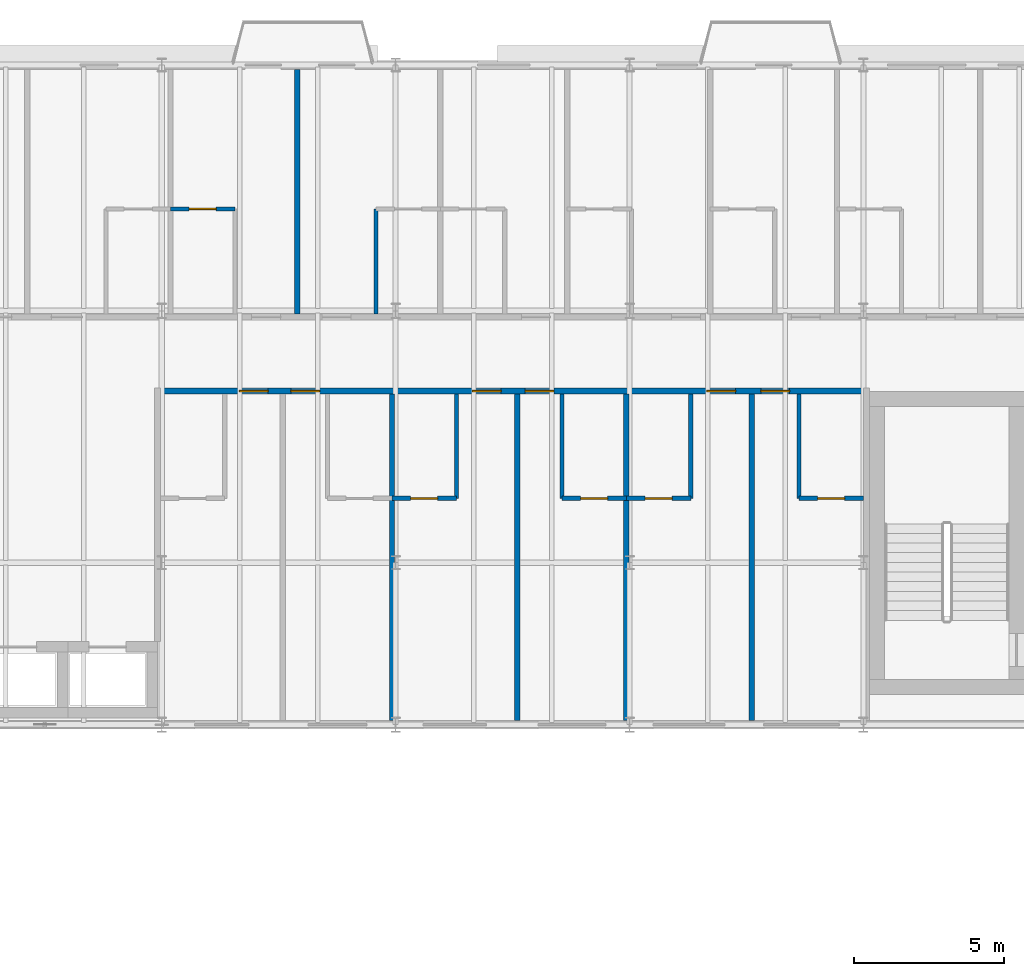
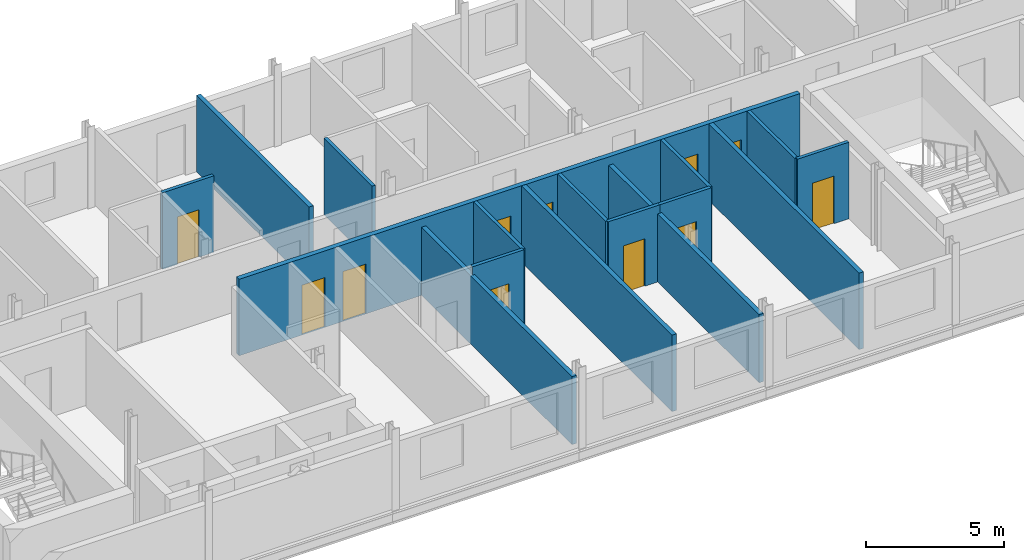
# One storey, part 21 of 30: 16 walls, 11 doors, 11 openings.
"""IFC4 building model written with IfcOpenShell, lengths in metres."""

from ifc_helpers import new_model, si_unit, direction, frame, frame_2d, origin, place, context, subcontext, project, spatial, rectangle, extrude, material, layer, layer_set, type_object, element, fill, save


model = new_model("IFC4")

# Units and contexts
model_context = context("Model", 3, precision=1e-05, world=origin(), true_north=direction((0.0, 1.0)))
body_context = subcontext(model_context, "Body", "Model", "MODEL_VIEW")
ifc_project = project(units=[si_unit("LENGTHUNIT", "METRE"), si_unit("AREAUNIT", "SQUARE_METRE"), si_unit("VOLUMEUNIT", "CUBIC_METRE"), si_unit("PLANEANGLEUNIT", "RADIAN"), si_unit("MASSUNIT", "GRAM", prefix="KILO")], contexts=[model_context])

# Site, building, storey
site_placement = place(None, origin())
site = spatial("IfcSite", under=ifc_project, at=site_placement, CompositionType="ELEMENT")
building_placement = place(site_placement, origin())
building = spatial("IfcBuilding", under=site, at=building_placement, Name="Sefraquen Railside Congress Hotel", CompositionType="ELEMENT")
storey_placement = place(building_placement, frame((0.0, 0.0, 35.39990234375)))
storey = spatial("IfcBuildingStorey", under=building, at=storey_placement, Name="L08", CompositionType="ELEMENT", Elevation=35.39990234375)

# Wall, opening, door
ifc_material_1 = material(Name="Moisture-resistant gypsum board", Category="gypsum")
ifc_layer_1 = layer(ifc_material_1, 0.139892578125)
ifc_layer_set_1 = layer_set([ifc_layer_1], Name="Moisture-resistant gypsum board")
wall_type_1 = type_object("IfcWallType", Name="TW-PW-140", PredefinedType="PARTITIONING", material=ifc_layer_set_1)
wall_1_placement = place(storey_placement, frame((41.090087890625, 113.199951171875, 0.0), z_axis=(0.0, 0.0, 1.0), x_axis=(1.0, 0.0, 0.0)))
wall_1 = element("IfcWall", 1, at=wall_1_placement, inside=storey, type_object=wall_type_1, Name="En-suite bathroom north wall RM-005", PredefinedType="PARTITIONING", context=body_context, shape_type="SweptSolid", body=[
    extrude(rectangle(XDim=2.14990234375, YDim=0.139892578125, at=frame_2d((1.074951171875, 0.0))), origin(), (0.0, 0.0, 1.0), 3.380126953125),
])
opening_1_placement = place(wall_1_placement, frame((0.625, 0.0, 0.0)))
opening_1 = element("IfcOpeningElement", 2, at=opening_1_placement, cuts=wall_1, Name="Opening ID-02", PredefinedType="OPENING", context=body_context, shape_type="SweptSolid", body=[
    extrude(rectangle(XDim=0.89990234375, YDim=2.10009765625, at=frame_2d((0.449951171875, 1.050048828125))), frame((0.0, 0.079833984375, 0.0), z_axis=(0.0, -1.0, 0.0), x_axis=(1.0, 0.0, 0.0)), (0.0, 0.0, 1.0), 0.159912109375),
])
ifc_material_2 = material(Name="Lacquered cedar joinery", Category="wood")
door_type_1 = type_object("IfcDoorType", Name="TD-ID-02", OperationType="NOTDEFINED", PredefinedType="DOOR", material=ifc_material_2)
door_1_placement = place(opening_1_placement, origin())
door_1 = element("IfcDoor", 3, at=door_1_placement, inside=storey, type_object=door_type_1, Name="En-suite bathroom door RM-005", OperationType="SINGLE_SWING_LEFT", OverallHeight=2.10009765625, OverallWidth=0.89990234375, PredefinedType="DOOR", context=body_context, shape_type="SweptSolid", body=[
    extrude(rectangle(XDim=0.89990234375, YDim=2.10009765625, at=frame_2d((0.449951171875, 1.050048828125))), frame((0.0, 0.02490234375, 0.0), z_axis=(0.0, -1.0, 0.0), x_axis=(1.0, 0.0, 0.0)), (0.0, 0.0, 1.0), 0.050048828125),
])
fill(opening_1, door_1)

# Walls
wall_2_placement = place(storey_placement, frame((47.93994140625, 109.699951171875, 0.0), z_axis=(0.0, 0.0, 1.0), x_axis=(0.0, 1.0, 0.0)))
element("IfcWall", 4, at=wall_2_placement, inside=storey, type_object=wall_type_1, Name="En-suite bathroom west wall RM-006", PredefinedType="PARTITIONING", context=body_context, shape_type="SweptSolid", body=[
    extrude(rectangle(XDim=3.5, YDim=0.139892578125, at=frame_2d((1.75, 0.0))), origin(), (0.0, 0.0, 1.0), 3.380126953125),
])
wall_3_placement = place(storey_placement, frame((50.626953125, 103.550048828125, 0.0), z_axis=(0.0, 0.0, 1.0), x_axis=(0.0, 1.0, 0.0)))
element("IfcWall", 5, at=wall_3_placement, inside=storey, type_object=wall_type_1, Name="En-suite bathroom east wall RM-019", PredefinedType="PARTITIONING", context=body_context, shape_type="SweptSolid", body=[
    extrude(rectangle(XDim=3.469970703125, YDim=0.139892578125, at=frame_2d((1.73486328125, 0.0))), origin(), (0.0, 0.0, 1.0), 3.380126953125),
])

# Wall, opening, door
wall_4_placement = place(storey_placement, frame((48.47705078125, 103.550048828125, 0.0), z_axis=(0.0, 0.0, 1.0), x_axis=(1.0, 0.0, 0.0)))
wall_4 = element("IfcWall", 6, at=wall_4_placement, inside=storey, type_object=wall_type_1, Name="En-suite bathroom south wall RM-019", PredefinedType="PARTITIONING", context=body_context, shape_type="SweptSolid", body=[
    extrude(rectangle(XDim=2.14990234375, YDim=0.139892578125, at=frame_2d((1.074951171875, 0.0))), origin(), (0.0, 0.0, 1.0), 3.380126953125),
])
opening_2_placement = place(wall_4_placement, frame((0.625, 0.0, 0.0)))
opening_2 = element("IfcOpeningElement", 7, at=opening_2_placement, cuts=wall_4, Name="Opening ID-02", PredefinedType="OPENING", context=body_context, shape_type="SweptSolid", body=[
    extrude(rectangle(XDim=0.89990234375, YDim=2.10009765625, at=frame_2d((0.449951171875, 1.050048828125))), frame((0.0, 0.079833984375, 0.0), z_axis=(0.0, -1.0, 0.0), x_axis=(1.0, 0.0, 0.0)), (0.0, 0.0, 1.0), 0.159912109375),
])
door_2_placement = place(opening_2_placement, frame((0.89990234375, 0.0, 0.0), z_axis=(0.0, 0.0, 1.0), x_axis=(-1.0, 0.0, 0.0)))
door_2 = element("IfcDoor", 8, at=door_2_placement, inside=storey, type_object=door_type_1, Name="En-suite bathroom door RM-019", OperationType="SINGLE_SWING_LEFT", OverallHeight=2.10009765625, OverallWidth=0.89990234375, PredefinedType="DOOR", context=body_context, shape_type="SweptSolid", body=[
    extrude(rectangle(XDim=0.89990234375, YDim=2.10009765625, at=frame_2d((0.449951171875, 1.050048828125))), frame((0.0, 0.02490234375, 0.0), z_axis=(0.0, -1.0, 0.0), x_axis=(1.0, 0.0, 0.0)), (0.0, 0.0, 1.0), 0.050048828125),
])
fill(opening_2, door_2)

# Wall
wall_5_placement = place(storey_placement, frame((54.14306640625, 103.550048828125, 0.0), z_axis=(0.0, 0.0, 1.0), x_axis=(0.0, 1.0, 0.0)))
element("IfcWall", 9, at=wall_5_placement, inside=storey, type_object=wall_type_1, Name="En-suite bathroom west wall RM-020", PredefinedType="PARTITIONING", context=body_context, shape_type="SweptSolid", body=[
    extrude(rectangle(XDim=3.469970703125, YDim=0.139892578125, at=frame_2d((1.73486328125, 0.0))), origin(), (0.0, 0.0, 1.0), 3.380126953125),
])

# Wall, opening, door
wall_6_placement = place(storey_placement, frame((54.14306640625, 103.550048828125, 0.0), z_axis=(0.0, 0.0, 1.0), x_axis=(1.0, 0.0, 0.0)))
wall_6 = element("IfcWall", 10, at=wall_6_placement, inside=storey, type_object=wall_type_1, Name="En-suite bathroom south wall RM-020", PredefinedType="PARTITIONING", context=body_context, shape_type="SweptSolid", body=[
    extrude(rectangle(XDim=2.14990234375, YDim=0.139892578125, at=frame_2d((1.074951171875, 0.0))), origin(), (0.0, 0.0, 1.0), 3.380126953125),
])
opening_3_placement = place(wall_6_placement, frame((0.625, 0.0, 0.0)))
opening_3 = element("IfcOpeningElement", 11, at=opening_3_placement, cuts=wall_6, Name="Opening ID-02", PredefinedType="OPENING", context=body_context, shape_type="SweptSolid", body=[
    extrude(rectangle(XDim=0.89990234375, YDim=2.10009765625, at=frame_2d((0.449951171875, 1.050048828125))), frame((0.0, 0.079833984375, 0.0), z_axis=(0.0, -1.0, 0.0), x_axis=(1.0, 0.0, 0.0)), (0.0, 0.0, 1.0), 0.159912109375),
])
door_3_placement = place(opening_3_placement, frame((0.89990234375, 0.0, 0.0), z_axis=(0.0, 0.0, 1.0), x_axis=(-1.0, 0.0, 0.0)))
door_3 = element("IfcDoor", 12, at=door_3_placement, inside=storey, type_object=door_type_1, Name="En-suite bathroom door RM-020", OperationType="SINGLE_SWING_LEFT", OverallHeight=2.10009765625, OverallWidth=0.89990234375, PredefinedType="DOOR", context=body_context, shape_type="SweptSolid", body=[
    extrude(rectangle(XDim=0.89990234375, YDim=2.10009765625, at=frame_2d((0.449951171875, 1.050048828125))), frame((0.0, 0.02490234375, 0.0), z_axis=(0.0, -1.0, 0.0), x_axis=(1.0, 0.0, 0.0)), (0.0, 0.0, 1.0), 0.050048828125),
])
fill(opening_3, door_3)

# Wall
wall_7_placement = place(storey_placement, frame((58.443115234375, 103.550048828125, 0.0), z_axis=(0.0, 0.0, 1.0), x_axis=(0.0, 1.0, 0.0)))
element("IfcWall", 13, at=wall_7_placement, inside=storey, type_object=wall_type_1, Name="En-suite bathroom east wall RM-021", PredefinedType="PARTITIONING", context=body_context, shape_type="SweptSolid", body=[
    extrude(rectangle(XDim=3.469970703125, YDim=0.139892578125, at=frame_2d((1.73486328125, 0.0))), origin(), (0.0, 0.0, 1.0), 3.380126953125),
])

# Wall, opening, door
wall_8_placement = place(storey_placement, frame((56.29296875, 103.550048828125, 0.0), z_axis=(0.0, 0.0, 1.0), x_axis=(1.0, 0.0, 0.0)))
wall_8 = element("IfcWall", 14, at=wall_8_placement, inside=storey, type_object=wall_type_1, Name="En-suite bathroom south wall RM-021", PredefinedType="PARTITIONING", context=body_context, shape_type="SweptSolid", body=[
    extrude(rectangle(XDim=2.150146484375, YDim=0.139892578125, at=frame_2d((1.0751953125, 0.0))), origin(), (0.0, 0.0, 1.0), 3.380126953125),
])
opening_4_placement = place(wall_8_placement, frame((0.625, 0.0, 0.0)))
opening_4 = element("IfcOpeningElement", 15, at=opening_4_placement, cuts=wall_8, Name="Opening ID-02", PredefinedType="OPENING", context=body_context, shape_type="SweptSolid", body=[
    extrude(rectangle(XDim=0.89990234375, YDim=2.10009765625, at=frame_2d((0.449951171875, 1.050048828125))), frame((0.0, 0.079833984375, 0.0), z_axis=(0.0, -1.0, 0.0), x_axis=(1.0, 0.0, 0.0)), (0.0, 0.0, 1.0), 0.159912109375),
])
door_4_placement = place(opening_4_placement, frame((0.89990234375, 0.0, 0.0), z_axis=(0.0, 0.0, 1.0), x_axis=(-1.0, 0.0, 0.0)))
door_4 = element("IfcDoor", 16, at=door_4_placement, inside=storey, type_object=door_type_1, Name="En-suite bathroom door RM-021", OperationType="SINGLE_SWING_LEFT", OverallHeight=2.10009765625, OverallWidth=0.89990234375, PredefinedType="DOOR", context=body_context, shape_type="SweptSolid", body=[
    extrude(rectangle(XDim=0.89990234375, YDim=2.10009765625, at=frame_2d((0.449951171875, 1.050048828125))), frame((0.0, 0.02490234375, 0.0), z_axis=(0.0, -1.0, 0.0), x_axis=(1.0, 0.0, 0.0)), (0.0, 0.0, 1.0), 0.050048828125),
])
fill(opening_4, door_4)

# Wall
wall_9_placement = place(storey_placement, frame((62.050048828125, 103.550048828125, 0.0), z_axis=(0.0, 0.0, 1.0), x_axis=(0.0, 1.0, 0.0)))
element("IfcWall", 17, at=wall_9_placement, inside=storey, type_object=wall_type_1, Name="En-suite bathroom west wall RM-022", PredefinedType="PARTITIONING", context=body_context, shape_type="SweptSolid", body=[
    extrude(rectangle(XDim=3.469970703125, YDim=0.139892578125, at=frame_2d((1.73486328125, 0.0))), origin(), (0.0, 0.0, 1.0), 3.380126953125),
])

# Wall, opening, door
wall_10_placement = place(storey_placement, frame((62.050048828125, 103.550048828125, 0.0), z_axis=(0.0, 0.0, 1.0), x_axis=(1.0, 0.0, 0.0)))
wall_10 = element("IfcWall", 18, at=wall_10_placement, inside=storey, type_object=wall_type_1, Name="En-suite bathroom south wall RM-022", PredefinedType="PARTITIONING", context=body_context, shape_type="SweptSolid", body=[
    extrude(rectangle(XDim=2.14990234375, YDim=0.139892578125, at=frame_2d((1.074951171875, 0.0))), origin(), (0.0, 0.0, 1.0), 3.380126953125),
])
opening_5_placement = place(wall_10_placement, frame((0.625, 0.0, 0.0)))
opening_5 = element("IfcOpeningElement", 19, at=opening_5_placement, cuts=wall_10, Name="Opening ID-02", PredefinedType="OPENING", context=body_context, shape_type="SweptSolid", body=[
    extrude(rectangle(XDim=0.89990234375, YDim=2.10009765625, at=frame_2d((0.449951171875, 1.050048828125))), frame((0.0, 0.079833984375, 0.0), z_axis=(0.0, -1.0, 0.0), x_axis=(1.0, 0.0, 0.0)), (0.0, 0.0, 1.0), 0.159912109375),
])
door_5_placement = place(opening_5_placement, frame((0.89990234375, 0.0, 0.0), z_axis=(0.0, 0.0, 1.0), x_axis=(-1.0, 0.0, 0.0)))
door_5 = element("IfcDoor", 20, at=door_5_placement, inside=storey, type_object=door_type_1, Name="En-suite bathroom door RM-022", OperationType="SINGLE_SWING_LEFT", OverallHeight=2.10009765625, OverallWidth=0.89990234375, PredefinedType="DOOR", context=body_context, shape_type="SweptSolid", body=[
    extrude(rectangle(XDim=0.89990234375, YDim=2.10009765625, at=frame_2d((0.449951171875, 1.050048828125))), frame((0.0, 0.02490234375, 0.0), z_axis=(0.0, -1.0, 0.0), x_axis=(1.0, 0.0, 0.0)), (0.0, 0.0, 1.0), 0.050048828125),
])
fill(opening_5, door_5)

# Walls
ifc_material_3 = material(Name="Acoustic gypsum board on metal stud", Category="gypsum")
ifc_layer_2 = layer(ifc_material_3, 0.179931640625)
ifc_layer_set_2 = layer_set([ifc_layer_2], Name="Acoustic gypsum board on metal stud")
wall_type_2 = type_object("IfcWallType", Name="TW-PW-180", PredefinedType="PARTITIONING", material=ifc_layer_set_2)
wall_11_placement = place(storey_placement, frame((45.320068359375, 109.699951171875, 0.0), z_axis=(0.0, 0.0, 1.0), x_axis=(0.0, 1.0, 0.0)))
element("IfcWall", 21, at=wall_11_placement, inside=storey, type_object=wall_type_2, Name="Guest room demising wall RM-005", PredefinedType="PARTITIONING", context=body_context, shape_type="SweptSolid", body=[
    extrude(rectangle(XDim=8.150146484375, YDim=0.179931640625, at=frame_2d((4.0751953125, 0.0))), origin(), (0.0, 0.0, 1.0), 3.380126953125),
])
wall_12_placement = place(storey_placement, frame((48.47705078125, 96.139892578125, 0.0), z_axis=(0.0, 0.0, 1.0), x_axis=(0.0, 1.0, 0.0)))
element("IfcWall", 22, at=wall_12_placement, inside=storey, type_object=wall_type_2, Name="South guest room demising wall RM-018", PredefinedType="PARTITIONING", context=body_context, shape_type="SweptSolid", body=[
    extrude(rectangle(XDim=10.880126953125, YDim=0.179931640625, at=frame_2d((5.43994140625, 0.0))), origin(), (0.0, 0.0, 1.0), 3.010009765625),
])
wall_13_placement = place(storey_placement, frame((52.655029296875, 96.139892578125, 0.0), z_axis=(0.0, 0.0, 1.0), x_axis=(0.0, 1.0, 0.0)))
element("IfcWall", 23, at=wall_13_placement, inside=storey, type_object=wall_type_2, Name="South guest room demising wall RM-019", PredefinedType="PARTITIONING", context=body_context, shape_type="SweptSolid", body=[
    extrude(rectangle(XDim=10.880126953125, YDim=0.179931640625, at=frame_2d((5.43994140625, 0.0))), origin(), (0.0, 0.0, 1.0), 3.380126953125),
])
wall_14_placement = place(storey_placement, frame((56.29296875, 96.139892578125, 0.0), z_axis=(0.0, 0.0, 1.0), x_axis=(0.0, 1.0, 0.0)))
element("IfcWall", 24, at=wall_14_placement, inside=storey, type_object=wall_type_2, Name="South guest room demising wall RM-020", PredefinedType="PARTITIONING", context=body_context, shape_type="SweptSolid", body=[
    extrude(rectangle(XDim=10.880126953125, YDim=0.179931640625, at=frame_2d((5.43994140625, 0.0))), origin(), (0.0, 0.0, 1.0), 3.010009765625),
])
wall_15_placement = place(storey_placement, frame((60.471923828125, 96.139892578125, 0.0), z_axis=(0.0, 0.0, 1.0), x_axis=(0.0, 1.0, 0.0)))
element("IfcWall", 25, at=wall_15_placement, inside=storey, type_object=wall_type_2, Name="South guest room demising wall RM-021", PredefinedType="PARTITIONING", context=body_context, shape_type="SweptSolid", body=[
    extrude(rectangle(XDim=10.880126953125, YDim=0.179931640625, at=frame_2d((5.43994140625, 0.0))), origin(), (0.0, 0.0, 1.0), 3.380126953125),
])

# Wall, openings, doors
ifc_layer_3 = layer(ifc_material_3, 0.199951171875)
ifc_layer_set_3 = layer_set([ifc_layer_3], Name="Acoustic gypsum board on metal stud")
wall_type_3 = type_object("IfcWallType", Name="TW-PW-200", PredefinedType="PARTITIONING", material=ifc_layer_set_3)
wall_16_placement = place(storey_placement, frame((40.760009765625, 107.1201171875, 0.0), z_axis=(0.0, 0.0, 1.0), x_axis=(1.0, 0.0, 0.0)))
wall_16 = element("IfcWall", 26, at=wall_16_placement, inside=storey, type_object=wall_type_3, Name="Hotel L08 south-mid corridor fire-rated partition", PredefinedType="PARTITIONING", context=body_context, shape_type="SweptSolid", body=[
    extrude(rectangle(XDim=23.43994140625, YDim=0.199951171875, at=frame_2d((11.719970703125, 0.0))), origin(), (0.0, 0.0, 1.0), 3.380126953125),
])
opening_6_placement = place(wall_16_placement, frame((2.62890625, 0.0, 0.0)))
opening_6 = element("IfcOpeningElement", 27, at=opening_6_placement, cuts=wall_16, Name="Opening GD-02", PredefinedType="OPENING", context=body_context, shape_type="SweptSolid", body=[
    extrude(rectangle(XDim=0.9599609375, YDim=2.199951171875, at=frame_2d((0.47998046875, 1.10009765625))), frame((0.0, 0.10986328125, 0.0), z_axis=(0.0, -1.0, 0.0), x_axis=(1.0, 0.0, 0.0)), (0.0, 0.0, 1.0), 0.219970703125),
])
opening_7_placement = place(wall_16_placement, frame((4.343017578125, 0.0, 0.0)))
opening_7 = element("IfcOpeningElement", 28, at=opening_7_placement, cuts=wall_16, Name="Opening GD-02", PredefinedType="OPENING", context=body_context, shape_type="SweptSolid", body=[
    extrude(rectangle(XDim=0.9599609375, YDim=2.199951171875, at=frame_2d((0.47998046875, 1.10009765625))), frame((0.0, 0.10986328125, 0.0), z_axis=(0.0, -1.0, 0.0), x_axis=(1.0, 0.0, 0.0)), (0.0, 0.0, 1.0), 0.219970703125),
])
opening_8_placement = place(wall_16_placement, frame((10.40087890625, 0.0, 0.0)))
opening_8 = element("IfcOpeningElement", 29, at=opening_8_placement, cuts=wall_16, Name="Opening GD-02", PredefinedType="OPENING", context=body_context, shape_type="SweptSolid", body=[
    extrude(rectangle(XDim=0.9599609375, YDim=2.199951171875, at=frame_2d((0.47998046875, 1.10009765625))), frame((0.0, 0.10986328125, 0.0), z_axis=(0.0, -1.0, 0.0), x_axis=(1.0, 0.0, 0.0)), (0.0, 0.0, 1.0), 0.219970703125),
])
opening_9_placement = place(wall_16_placement, frame((12.158935546875, 0.0, 0.0)))
opening_9 = element("IfcOpeningElement", 30, at=opening_9_placement, cuts=wall_16, Name="Opening GD-02", PredefinedType="OPENING", context=body_context, shape_type="SweptSolid", body=[
    extrude(rectangle(XDim=0.9599609375, YDim=2.199951171875, at=frame_2d((0.47998046875, 1.10009765625))), frame((0.0, 0.10986328125, 0.0), z_axis=(0.0, -1.0, 0.0), x_axis=(1.0, 0.0, 0.0)), (0.0, 0.0, 1.0), 0.219970703125),
])
opening_10_placement = place(wall_16_placement, frame((18.218017578125, 0.0, 0.0)))
opening_10 = element("IfcOpeningElement", 31, at=opening_10_placement, cuts=wall_16, Name="Opening GD-02", PredefinedType="OPENING", context=body_context, shape_type="SweptSolid", body=[
    extrude(rectangle(XDim=0.9599609375, YDim=2.199951171875, at=frame_2d((0.47998046875, 1.10009765625))), frame((0.0, 0.10986328125, 0.0), z_axis=(0.0, -1.0, 0.0), x_axis=(1.0, 0.0, 0.0)), (0.0, 0.0, 1.0), 0.219970703125),
])
opening_11_placement = place(wall_16_placement, frame((20.02099609375, 0.0, 0.0)))
opening_11 = element("IfcOpeningElement", 32, at=opening_11_placement, cuts=wall_16, Name="Opening GD-02", PredefinedType="OPENING", context=body_context, shape_type="SweptSolid", body=[
    extrude(rectangle(XDim=0.9599609375, YDim=2.199951171875, at=frame_2d((0.47998046875, 1.10009765625))), frame((0.0, 0.10986328125, 0.0), z_axis=(0.0, -1.0, 0.0), x_axis=(1.0, 0.0, 0.0)), (0.0, 0.0, 1.0), 0.219970703125),
])
ifc_material_4 = material(Name="Solid Atlas cedar timber fire leaf", Category="wood")
door_type_2 = type_object("IfcDoorType", Name="TD-GD-02", OperationType="NOTDEFINED", PredefinedType="DOOR", material=ifc_material_4)
door_6_placement = place(opening_6_placement, frame((0.9599609375, 0.0, 0.0), z_axis=(0.0, 0.0, 1.0), x_axis=(-1.0, 0.0, 0.0)))
door_6 = element("IfcDoor", 33, at=door_6_placement, inside=storey, type_object=door_type_2, Name="Guest room entrance fire door RM-017", OperationType="SINGLE_SWING_RIGHT", OverallHeight=2.199951171875, OverallWidth=0.9599609375, PredefinedType="DOOR", context=body_context, shape_type="SweptSolid", body=[
    extrude(rectangle(XDim=0.9599609375, YDim=2.199951171875, at=frame_2d((0.47998046875, 1.10009765625))), frame((0.0, 0.02490234375, 0.0), z_axis=(0.0, -1.0, 0.0), x_axis=(1.0, 0.0, 0.0)), (0.0, 0.0, 1.0), 0.050048828125),
])
fill(opening_6, door_6)
door_7_placement = place(opening_7_placement, frame((0.9599609375, 0.0, 0.0), z_axis=(0.0, 0.0, 1.0), x_axis=(-1.0, 0.0, 0.0)))
door_7 = element("IfcDoor", 34, at=door_7_placement, inside=storey, type_object=door_type_2, Name="Guest room entrance fire door RM-018", OperationType="SINGLE_SWING_RIGHT", OverallHeight=2.199951171875, OverallWidth=0.9599609375, PredefinedType="DOOR", context=body_context, shape_type="SweptSolid", body=[
    extrude(rectangle(XDim=0.9599609375, YDim=2.199951171875, at=frame_2d((0.47998046875, 1.10009765625))), frame((0.0, 0.02490234375, 0.0), z_axis=(0.0, -1.0, 0.0), x_axis=(1.0, 0.0, 0.0)), (0.0, 0.0, 1.0), 0.050048828125),
])
fill(opening_7, door_7)
door_8_placement = place(opening_8_placement, frame((0.9599609375, 0.0, 0.0), z_axis=(0.0, 0.0, 1.0), x_axis=(-1.0, 0.0, 0.0)))
door_8 = element("IfcDoor", 35, at=door_8_placement, inside=storey, type_object=door_type_2, Name="Guest room entrance fire door RM-019", OperationType="SINGLE_SWING_RIGHT", OverallHeight=2.199951171875, OverallWidth=0.9599609375, PredefinedType="DOOR", context=body_context, shape_type="SweptSolid", body=[
    extrude(rectangle(XDim=0.9599609375, YDim=2.199951171875, at=frame_2d((0.47998046875, 1.10009765625))), frame((0.0, 0.02490234375, 0.0), z_axis=(0.0, -1.0, 0.0), x_axis=(1.0, 0.0, 0.0)), (0.0, 0.0, 1.0), 0.050048828125),
])
fill(opening_8, door_8)
door_9_placement = place(opening_9_placement, frame((0.9599609375, 0.0, 0.0), z_axis=(0.0, 0.0, 1.0), x_axis=(-1.0, 0.0, 0.0)))
door_9 = element("IfcDoor", 36, at=door_9_placement, inside=storey, type_object=door_type_2, Name="Guest room entrance fire door RM-020", OperationType="SINGLE_SWING_RIGHT", OverallHeight=2.199951171875, OverallWidth=0.9599609375, PredefinedType="DOOR", context=body_context, shape_type="SweptSolid", body=[
    extrude(rectangle(XDim=0.9599609375, YDim=2.199951171875, at=frame_2d((0.47998046875, 1.10009765625))), frame((0.0, 0.02490234375, 0.0), z_axis=(0.0, -1.0, 0.0), x_axis=(1.0, 0.0, 0.0)), (0.0, 0.0, 1.0), 0.050048828125),
])
fill(opening_9, door_9)
door_10_placement = place(opening_10_placement, frame((0.9599609375, 0.0, 0.0), z_axis=(0.0, 0.0, 1.0), x_axis=(-1.0, 0.0, 0.0)))
door_10 = element("IfcDoor", 37, at=door_10_placement, inside=storey, type_object=door_type_2, Name="Guest room entrance fire door RM-021", OperationType="SINGLE_SWING_RIGHT", OverallHeight=2.199951171875, OverallWidth=0.9599609375, PredefinedType="DOOR", context=body_context, shape_type="SweptSolid", body=[
    extrude(rectangle(XDim=0.9599609375, YDim=2.199951171875, at=frame_2d((0.47998046875, 1.10009765625))), frame((0.0, 0.02490234375, 0.0), z_axis=(0.0, -1.0, 0.0), x_axis=(1.0, 0.0, 0.0)), (0.0, 0.0, 1.0), 0.050048828125),
])
fill(opening_10, door_10)
door_11_placement = place(opening_11_placement, frame((0.9599609375, 0.0, 0.0), z_axis=(0.0, 0.0, 1.0), x_axis=(-1.0, 0.0, 0.0)))
door_11 = element("IfcDoor", 38, at=door_11_placement, inside=storey, type_object=door_type_2, Name="Guest room entrance fire door RM-022", OperationType="SINGLE_SWING_RIGHT", OverallHeight=2.199951171875, OverallWidth=0.9599609375, PredefinedType="DOOR", context=body_context, shape_type="SweptSolid", body=[
    extrude(rectangle(XDim=0.9599609375, YDim=2.199951171875, at=frame_2d((0.47998046875, 1.10009765625))), frame((0.0, 0.02490234375, 0.0), z_axis=(0.0, -1.0, 0.0), x_axis=(1.0, 0.0, 0.0)), (0.0, 0.0, 1.0), 0.050048828125),
])
fill(opening_11, door_11)

save(model, "model.ifc")
